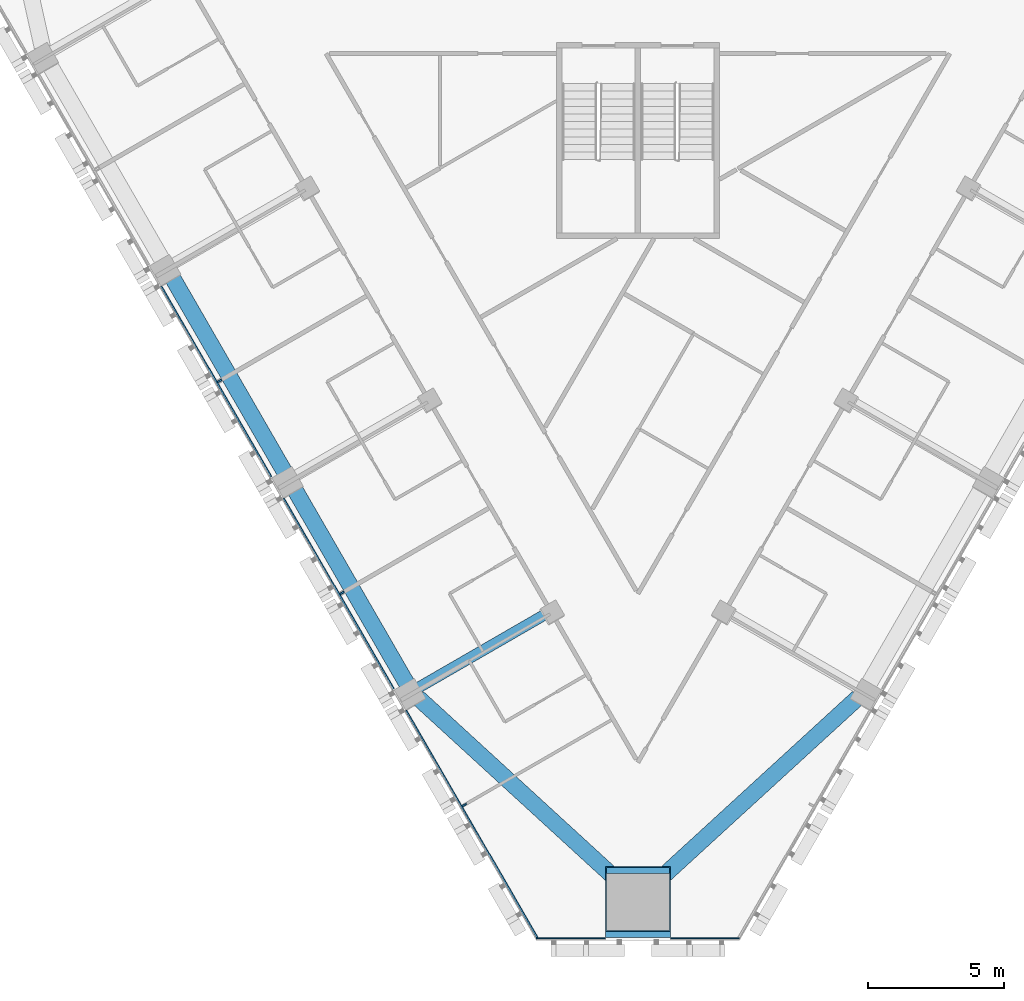
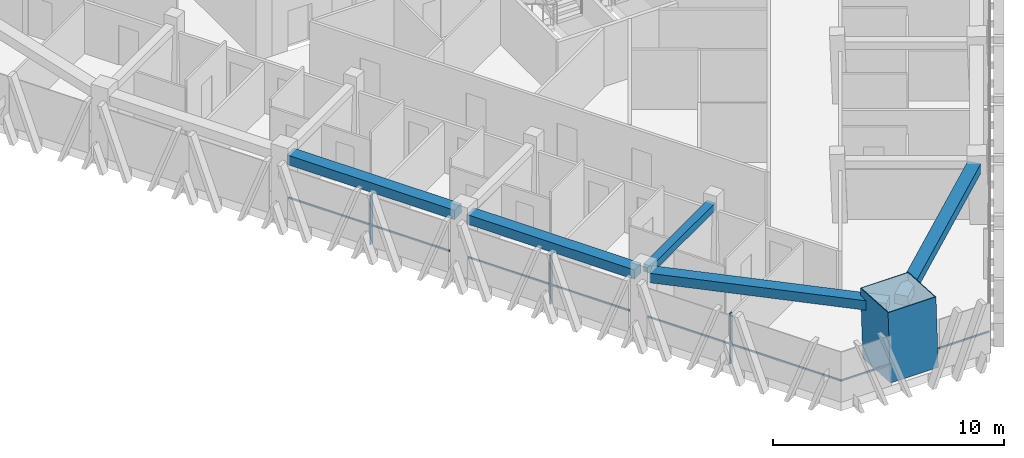
# One storey, part 2 of 16: 9 members, 5 beams, 2 elements without a shape of their own.
"""IFC4 building model written with IfcOpenShell, lengths in metres."""

import ifcopenshell
import ifcopenshell.guid

model = None  # the IFC model being written
_history = None  # IfcOwnerHistory: only IFC2X3 demands one
_inside = {}  # id of a spatial element -> (the spatial element, [elements in it])
_under = {}  # id of a project, library or spatial element -> (it, [spatial elements below it])
_declared = {}  # id of a project -> (the project, [libraries it declares])
_typed = {}  # id of a type object -> (the type object, [elements of that type])
_made_of = {}  # id of a material, layer set ... -> (it, [elements and type objects made of it])


def new_model(schema):
    """Start an empty IFC model of exactly this schema.

    Asked for "IFC4X3", IfcOpenShell would pick the latest addendum, in which some entities
    have other attributes; the version numbers below select the first issue.
    IFC2X3 requires an IfcOwnerHistory on every rooted entity: one is made here for all.
    """
    global model, _history
    if schema == "IFC4X3":
        model = ifcopenshell.file(schema_version=(4, 3, 0, 0))
    else:
        model = ifcopenshell.file(schema=schema)
    _inside.clear()
    _under.clear()
    _declared.clear()
    _typed.clear()
    _made_of.clear()
    _history = None
    if model.schema == "IFC2X3":
        org = make("IfcOrganization", Name="unknown")
        user = make(
            "IfcPersonAndOrganization",
            ThePerson=make("IfcPerson", FamilyName="unknown"),
            TheOrganization=org,
        )
        app = make(
            "IfcApplication",
            ApplicationDeveloper=org,
            Version="unknown",
            ApplicationFullName="unknown",
            ApplicationIdentifier="unknown",
        )
        _history = make(
            "IfcOwnerHistory",
            OwningUser=user,
            OwningApplication=app,
            ChangeAction="ADDED",
            CreationDate=0,
        )
    return model


def make(cls, **values):
    """One entity of the class cls with the attributes given. An attribute that is None is left unset."""
    return model.create_entity(
        cls, **{name: value for name, value in values.items() if value is not None}
    )


def rooted(cls, **values):
    """An entity with a GlobalId (a new one), such as an element, a storey or a relation."""
    return make(cls, GlobalId=ifcopenshell.guid.new(), OwnerHistory=_history, **values)


def si_unit(unit_type, name, prefix=None):
    """IfcSIUnit, for example si_unit("LENGTHUNIT", "METRE", prefix="MILLI")."""
    return make("IfcSIUnit", UnitType=unit_type, Prefix=prefix, Name=name)


def assignment(units):
    """IfcUnitAssignment: the units of a project."""
    return None if units is None else make("IfcUnitAssignment", Units=units)


def point(xyz):
    """IfcCartesianPoint."""
    return None if xyz is None else make("IfcCartesianPoint", Coordinates=xyz)


def direction(xyz):
    """IfcDirection."""
    return None if xyz is None else make("IfcDirection", DirectionRatios=xyz)


def frame(location, z_axis=None, x_axis=None):
    """IfcAxis2Placement3D, a coordinate frame: its origin and axes. An axis left out is left unset."""
    return make(
        "IfcAxis2Placement3D",
        Location=point(location),
        Axis=direction(z_axis),
        RefDirection=direction(x_axis),
    )


def frame_2d(location, x_axis=None):
    """IfcAxis2Placement2D, a coordinate frame in the plane: its origin and x axis."""
    return make(
        "IfcAxis2Placement2D", Location=point(location), RefDirection=direction(x_axis)
    )


def origin():
    """The frame at (0, 0, 0) with its axes left unset."""
    return frame((0.0, 0.0, 0.0))


def origin_2d():
    """The frame at (0, 0) in the plane with its x axis left unset."""
    return frame_2d((0.0, 0.0))


def place(relative_to, where):
    """IfcLocalPlacement: puts the frame where relative to a parent placement (None: the world)."""
    return make(
        "IfcLocalPlacement", PlacementRelTo=relative_to, RelativePlacement=where
    )


def context(
    kind, dimensions, precision=None, world=None, true_north=None, identifier=None
):
    """IfcGeometricRepresentationContext, for example the 3D "Model" context."""
    return make(
        "IfcGeometricRepresentationContext",
        ContextIdentifier=identifier,
        ContextType=kind,
        CoordinateSpaceDimension=dimensions,
        Precision=precision,
        WorldCoordinateSystem=world,
        TrueNorth=true_north,
    )


def subcontext(parent, identifier, kind, view, scale=None):
    """IfcGeometricRepresentationSubContext, for example "Body" below "Model"."""
    return make(
        "IfcGeometricRepresentationSubContext",
        ContextIdentifier=identifier,
        ContextType=kind,
        ParentContext=parent,
        TargetScale=scale,
        TargetView=view,
    )


def project(units=None, contexts=None):
    """IfcProject with its units and contexts."""
    return rooted(
        "IfcProject",
        Name="project",
        RepresentationContexts=contexts,
        UnitsInContext=assignment(units),
    )


def spatial(cls, under=None, at=None, **own):
    """A site, building, storey or space (cls), placed at a placement, below another one or the project."""
    s = rooted(cls, ObjectPlacement=at, **own)
    if under is not None:
        _under.setdefault(under.id(), (under, []))[1].append(s)
    return s


def profile(cls, at=None, kind="AREA", **sizes):
    """A parametric profile (cls). Its sizes go by their IFC names, for example OverallWidth=200.0."""
    return make(cls, ProfileType=kind, Position=at, **sizes)


def rectangle(**sizes):
    """IfcRectangleProfileDef."""
    return profile("IfcRectangleProfileDef", **sizes)


def hollow_rectangle(**sizes):
    """IfcRectangleHollowProfileDef."""
    return profile("IfcRectangleHollowProfileDef", **sizes)


def extrude(swept, where, along, depth):
    """IfcExtrudedAreaSolid: the profile swept, set in the frame where, extruded along a direction by depth."""
    return make(
        "IfcExtrudedAreaSolid",
        SweptArea=swept,
        Position=where,
        ExtrudedDirection=direction(along),
        Depth=depth,
    )


def shape(context_of_items, identifier, shape_type, items):
    """IfcShapeRepresentation: the items that make up one representation, for example the "Body"."""
    return make(
        "IfcShapeRepresentation",
        ContextOfItems=context_of_items,
        RepresentationIdentifier=identifier,
        RepresentationType=shape_type,
        Items=items,
    )


def material(Name=None, Category=None):
    """IfcMaterial."""
    return make("IfcMaterial", Name=Name, Category=Category)


def layer(
    of_material, thickness, ventilated=None, Name=None, Category=None, Priority=None
):
    """IfcMaterialLayer: one layer of a wall or slab, of a material (None: an air gap)."""
    return make(
        "IfcMaterialLayer",
        Material=of_material,
        LayerThickness=thickness,
        IsVentilated=ventilated,
        Name=Name,
        Category=Category,
        Priority=Priority,
    )


def layer_set(layers, Name=None):
    """IfcMaterialLayerSet."""
    return make("IfcMaterialLayerSet", MaterialLayers=layers, LayerSetName=Name)


def material_profile(
    of_material, cross_section, Name=None, Category=None, Priority=None
):
    """IfcMaterialProfile: a cross section and its material."""
    return make(
        "IfcMaterialProfile",
        Name=Name,
        Material=of_material,
        Profile=cross_section,
        Priority=Priority,
        Category=Category,
    )


def profile_set(profiles, Name=None, composite=None):
    """IfcMaterialProfileSet."""
    return make(
        "IfcMaterialProfileSet",
        Name=Name,
        MaterialProfiles=profiles,
        CompositeProfile=composite,
    )


def made_of(thing, what):
    """Note that an element or type object is made of a material, layer set ...; save() writes the relation."""
    if what is not None:
        _made_of.setdefault(what.id(), (what, []))[1].append(thing)
    return thing


def type_object(cls, material=None, **own):
    """A type object (cls), such as IfcWallType, which elements share."""
    return made_of(rooted(cls, **own), material)


def element(
    cls,
    number,
    at=None,
    inside=None,
    cuts=None,
    type_object=None,
    material=None,
    context=None,
    identifier="Body",
    shape_type=None,
    held_by="IfcProductDefinitionShape",
    body=None,
    shapes=None,
    **own,
):
    """One element of the class cls, such as IfcWall. Its Tag is "e" and its number.

    at: its placement. inside: the storey or other place that contains it. cuts: it is an
    opening in that element (IfcRelVoidsElement). A single representation is given by context,
    identifier, shape_type and body (its items); several are given by shapes. held_by: the class
    of the entity that holds the representations. save() writes the other relations.
    """
    e = rooted(cls, Tag="e%d" % number, ObjectPlacement=at, **own)
    if body is not None:
        shapes = [shape(context, identifier, shape_type, body)]
    if shapes is not None:
        e.Representation = make(held_by, Representations=shapes)
    if inside is not None:
        _inside.setdefault(inside.id(), (inside, []))[1].append(e)
    if cuts is not None:
        rooted(
            "IfcRelVoidsElement", RelatingBuildingElement=cuts, RelatedOpeningElement=e
        )
    if type_object is not None:
        _typed.setdefault(type_object.id(), (type_object, []))[1].append(e)
    return made_of(e, material)


def aggregate(whole, parts):
    """IfcRelAggregates: a whole, such as a stair, and the parts it consists of."""
    return rooted("IfcRelAggregates", RelatingObject=whole, RelatedObjects=parts)


def save(model, path):
    """Write the relations noted so far, then the file.

    IfcRelAggregates (storeys below a building ...), IfcRelContainedInSpatialStructure (elements
    in a storey), IfcRelDefinesByType, IfcRelAssociatesMaterial and IfcRelDeclares: one each for
    every whole, place, type object, material and project.
    """
    for whole, parts in _under.values():
        aggregate(whole, parts)
    for where, things in _inside.values():
        rooted(
            "IfcRelContainedInSpatialStructure",
            RelatedElements=things,
            RelatingStructure=where,
        )
    for kind, things in _typed.values():
        rooted("IfcRelDefinesByType", RelatedObjects=things, RelatingType=kind)
    for what, things in _made_of.values():
        rooted("IfcRelAssociatesMaterial", RelatedObjects=things, RelatingMaterial=what)
    for by, libraries in _declared.values():
        rooted("IfcRelDeclares", RelatingContext=by, RelatedDefinitions=libraries)
    model.write(path)


model = new_model("IFC4")

# Units and contexts
model_context = context("Model", 3, precision=1e-05, world=origin(), true_north=direction((0.0, 1.0)))
body_context = subcontext(model_context, "Body", "Model", "MODEL_VIEW")
ifc_project = project(units=[si_unit("LENGTHUNIT", "METRE"), si_unit("AREAUNIT", "SQUARE_METRE"), si_unit("VOLUMEUNIT", "CUBIC_METRE"), si_unit("PLANEANGLEUNIT", "RADIAN"), si_unit("MASSUNIT", "GRAM", prefix="KILO")], contexts=[model_context])

# Site, building, storey
site_placement = place(None, origin())
site = spatial("IfcSite", under=ifc_project, at=site_placement, CompositionType="ELEMENT")
building_placement = place(site_placement, origin())
building = spatial("IfcBuilding", under=site, at=building_placement, Name="Altiplano Prism Tower", CompositionType="ELEMENT")
storey_placement = place(building_placement, frame((0.0, 0.0, 145.800048828125)))
storey = spatial("IfcBuildingStorey", under=building, at=storey_placement, Name="L37", CompositionType="ELEMENT", Elevation=145.800048828125)

# Curtain wall, members
ifc_material_1 = material(Name="Aluminium and glass", Category="aluminium")
ifc_layer = layer(ifc_material_1, 0.280029296875)
ifc_layer_set = layer_set([ifc_layer], Name="Aluminium and glass")
curtain_wall_type = type_object("IfcCurtainWallType", Name="CW1 typical co-living unitised curtain wall", PredefinedType="NOTDEFINED", material=ifc_layer_set)
curtain_wall_1_placement = place(storey_placement, origin())
curtain_wall_1 = element("IfcCurtainWall", 1, at=curtain_wall_1_placement, inside=storey, type_object=curtain_wall_type, Name="CW1 curtain wall south-west face L37", PredefinedType="NOTDEFINED")
ifc_material_2 = material(Name="Aluminium", Category="aluminium")
ifc_material_profile_1 = material_profile(ifc_material_2, rectangle(XDim=0.179931640625, YDim=0.06494140625, at=origin_2d()), Name="CW1 mullion 65 x 180")
ifc_profile_set_1 = profile_set([ifc_material_profile_1], Name="Aluminium")
member_type_1 = type_object("IfcMemberType", Name="CW1 mullion 65 x 180", PredefinedType="MULLION", material=ifc_profile_set_1)
member_1_placement = place(storey_placement, frame((69.61767578125, 78.1669921875, 0.0), z_axis=(0.0, 0.0, 1.0), x_axis=(0.866025402249, 0.50000000266, 0.0)))
member_1 = element("IfcMember", 2, at=member_1_placement, type_object=member_type_1, Name="CW1 mullion", PredefinedType="MULLION", context=body_context, shape_type="SweptSolid", body=[
    extrude(rectangle(XDim=0.179931640625, YDim=0.06494140625, at=origin_2d()), origin(), (0.0, 0.0, 1.0), 2.64990234375),
])
member_2_placement = place(storey_placement, frame((74.11767578125, 70.372802734375, 0.0), z_axis=(0.0, 0.0, 1.0), x_axis=(0.866025402249, 0.50000000266, 0.0)))
member_2 = element("IfcMember", 3, at=member_2_placement, type_object=member_type_1, Name="CW1 mullion", PredefinedType="MULLION", context=body_context, shape_type="SweptSolid", body=[
    extrude(rectangle(XDim=0.179931640625, YDim=0.06494140625, at=origin_2d()), origin(), (0.0, 0.0, 1.0), 2.64990234375),
])
member_3_placement = place(storey_placement, frame((78.61767578125, 62.57861328125, 0.0), z_axis=(0.0, 0.0, 1.0), x_axis=(0.866025402249, 0.50000000266, 0.0)))
member_3 = element("IfcMember", 4, at=member_3_placement, type_object=member_type_1, Name="CW1 mullion", PredefinedType="MULLION", context=body_context, shape_type="SweptSolid", body=[
    extrude(rectangle(XDim=0.179931640625, YDim=0.06494140625, at=origin_2d()), origin(), (0.0, 0.0, 1.0), 2.64990234375),
])
ifc_material_profile_2 = material_profile(ifc_material_2, rectangle(XDim=0.06005859375, YDim=0.080078125, at=origin_2d()), Name="CW1 transom 80 x 60")
ifc_profile_set_2 = profile_set([ifc_material_profile_2], Name="Aluminium")
member_type_2 = type_object("IfcMemberType", Name="CW1 transom 80 x 60", PredefinedType="USERDEFINED", material=ifc_profile_set_2)
member_4_placement = place(storey_placement, frame((67.4765625, 81.635498046875, 1.099853515625), z_axis=(0.499994808408, -0.866028401131, 0.0), x_axis=(0.866028401131, 0.499994808408, 0.0)))
member_4 = element("IfcMember", 5, at=member_4_placement, type_object=member_type_2, Name="CW1 transom", ObjectType="TRANSOM", PredefinedType="USERDEFINED", context=body_context, shape_type="SweptSolid", body=[
    extrude(rectangle(XDim=0.06005859375, YDim=0.080078125, at=origin_2d()), origin(), (0.0, 0.0, 1.0), 8.06982421875),
])
member_5_placement = place(storey_placement, frame((71.9765625, 73.84130859375, 1.099853515625), z_axis=(0.499994808408, -0.866028401131, 0.0), x_axis=(0.866028401131, 0.499994808408, 0.0)))
member_5 = element("IfcMember", 6, at=member_5_placement, type_object=member_type_2, Name="CW1 transom", ObjectType="TRANSOM", PredefinedType="USERDEFINED", context=body_context, shape_type="SweptSolid", body=[
    extrude(rectangle(XDim=0.06005859375, YDim=0.080078125, at=origin_2d()), origin(), (0.0, 0.0, 1.0), 8.06982421875),
])
member_6_placement = place(storey_placement, frame((76.4765625, 66.047119140625, 1.099853515625), z_axis=(0.499996016145, -0.866027703852, 0.0), x_axis=(0.866027703852, 0.499996016145, 0.0)))
member_6 = element("IfcMember", 7, at=member_6_placement, type_object=member_type_2, Name="CW1 transom", ObjectType="TRANSOM", PredefinedType="USERDEFINED", context=body_context, shape_type="SweptSolid", body=[
    extrude(rectangle(XDim=0.06005859375, YDim=0.080078125, at=origin_2d()), origin(), (0.0, 0.0, 1.0), 9.7080078125),
])
aggregate(curtain_wall_1, [member_1, member_4, member_2, member_5, member_3, member_6])

curtain_wall_2_placement = place(storey_placement, origin())
curtain_wall_2 = element("IfcCurtainWall", 8, at=curtain_wall_2_placement, inside=storey, type_object=curtain_wall_type, Name="CW1 curtain wall south chamfer L37", PredefinedType="NOTDEFINED")
member_7_placement = place(storey_placement, frame((81.27001953125, 57.674560546875, 1.099853515625), z_axis=(1.0, 0.0, 0.0), x_axis=(0.0, 1.0, 0.0)))
member_7 = element("IfcMember", 9, at=member_7_placement, type_object=member_type_2, Name="CW1 transom", ObjectType="TRANSOM", PredefinedType="USERDEFINED", context=body_context, shape_type="SweptSolid", body=[
    extrude(rectangle(XDim=0.06005859375, YDim=0.080078125, at=origin_2d()), origin(), (0.0, 0.0, 1.0), 2.530029296875),
])
member_8_placement = place(storey_placement, frame((86.199951171875, 57.674560546875, 1.099853515625), z_axis=(1.0, 0.0, 0.0), x_axis=(0.0, 1.0, 0.0)))
member_8 = element("IfcMember", 10, at=member_8_placement, type_object=member_type_2, Name="CW1 transom", ObjectType="TRANSOM", PredefinedType="USERDEFINED", context=body_context, shape_type="SweptSolid", body=[
    extrude(rectangle(XDim=0.06005859375, YDim=0.080078125, at=origin_2d()), origin(), (0.0, 0.0, 1.0), 2.530029296875),
])
aggregate(curtain_wall_2, [member_7, member_8])

# Beams
ifc_material_3 = material(Name="Concrete C60/75", Category="concrete")
ifc_material_profile_3 = material_profile(ifc_material_3, rectangle(XDim=0.60009765625, YDim=0.5, at=origin_2d()), Name="Edge beam 600x500")
ifc_profile_set_3 = profile_set([ifc_material_profile_3], Name="Concrete C60/75")
beam_type_1 = type_object("IfcBeamType", Name="Edge beam 600x500", PredefinedType="SPANDREL", material=ifc_profile_set_3)
for number, where, z_axis, x_axis, name in (
    (11, (67.825439453125, 82.068603515625, 2.89990234375), (0.499976021395, -0.866039247396, 0.0), (0.866039247396, 0.499976021395, 0.0), "Edge beam P12-P13 L38"),
    (12, (72.325439453125, 74.2744140625, 2.89990234375), (0.499976021395, -0.866039247396, 0.0), (0.866039247396, 0.499976021395, 0.0), "Edge beam P13-P14 L38"),
):
    element("IfcBeam", number, at=place(storey_placement, frame(where, z_axis=z_axis, x_axis=x_axis)), inside=storey, type_object=beam_type_1, Name=name, PredefinedType="SPANDREL", context=body_context, shape_type="SweptSolid", body=[
        extrude(rectangle(XDim=0.60009765625, YDim=0.5, at=origin_2d()), origin(), (0.0, 0.0, 1.0), 8.39013671875),
    ])
for number, where, z_axis, x_axis, name in (
    (13, (76.912841796875, 66.524169921875, 2.89990234375), (0.737337177598, -0.675524897048, 0.0), (0.675524897048, 0.737337177598, 0.0), "Edge beam P14-M1 L38"),
    (14, (85.331787109375, 59.4189453125, 2.89990234375), (0.737337177598, 0.675524897048, 0.0), (-0.675524897048, 0.737337177598, 0.0), "Edge beam M1-P21 L38"),
):
    element("IfcBeam", number, at=place(storey_placement, frame(where, z_axis=z_axis, x_axis=x_axis)), inside=storey, type_object=beam_type_1, Name=name, PredefinedType="SPANDREL", context=body_context, shape_type="SweptSolid", body=[
        extrude(rectangle(XDim=0.60009765625, YDim=0.5, at=origin_2d()), origin(), (0.0, 0.0, 1.0), 10.51806640625),
    ])

# Member
ifc_material_4 = material(Name="Steel S460", Category="steel")
ifc_material_profile_4 = material_profile(ifc_material_4, hollow_rectangle(XDim=2.39990234375, YDim=2.39990234375, WallThickness=0.0400390625, at=origin_2d()), Name="Mega column tube 2400")
ifc_profile_set_4 = profile_set([ifc_material_profile_4], Name="Steel S460")
member_type_3 = type_object("IfcMemberType", Name="Mega column tube 2400", PredefinedType="POST", material=ifc_profile_set_4)
member_9_placement = place(storey_placement, frame((85.0, 58.904541015625, 0.0), z_axis=(0.0, 0.058360852261, 0.998295552892), x_axis=(-1.0, 0.0, 0.0)))
element("IfcMember", 15, at=member_9_placement, inside=storey, type_object=member_type_3, Name="Mega column tube M1 L37", PredefinedType="POST", context=body_context, shape_type="SweptSolid", body=[
    extrude(hollow_rectangle(XDim=2.39990234375, YDim=2.39990234375, WallThickness=0.0400390625, at=origin_2d()), origin(), (0.0, 0.0, 1.0), 3.60595703125),
])

# Beam
ifc_material_profile_5 = material_profile(ifc_material_3, rectangle(XDim=0.39990234375, YDim=0.39990234375, at=origin_2d()), Name="Tie beam 400x400")
ifc_profile_set_5 = profile_set([ifc_material_profile_5], Name="Concrete C60/75")
beam_type_2 = type_object("IfcBeamType", Name="Tie beam 400x400", PredefinedType="BEAM", material=ifc_profile_set_5)
beam_placement = place(storey_placement, frame((81.73486328125, 69.666748046875, 2.949951171875), z_axis=(-0.866027073272, -0.499997108352, 0.0), x_axis=(0.499997108352, -0.866027073272, 0.0)))
element("IfcBeam", 16, at=beam_placement, inside=storey, type_object=beam_type_2, Name="Tie beam I14 L38", PredefinedType="BEAM", context=body_context, shape_type="SweptSolid", body=[
    extrude(rectangle(XDim=0.39990234375, YDim=0.39990234375, at=origin_2d()), origin(), (0.0, 0.0, 1.0), 5.5400390625),
])

save(model, "model.ifc")
